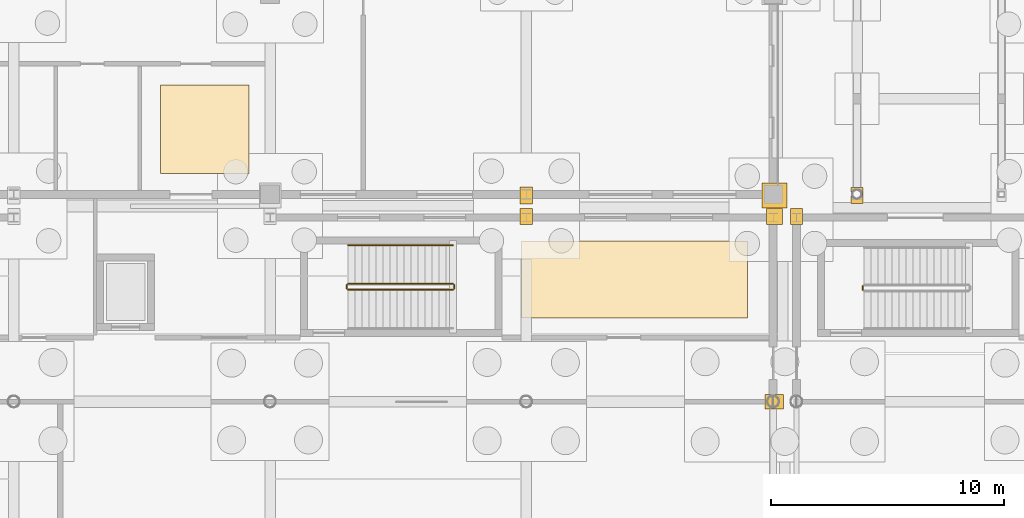
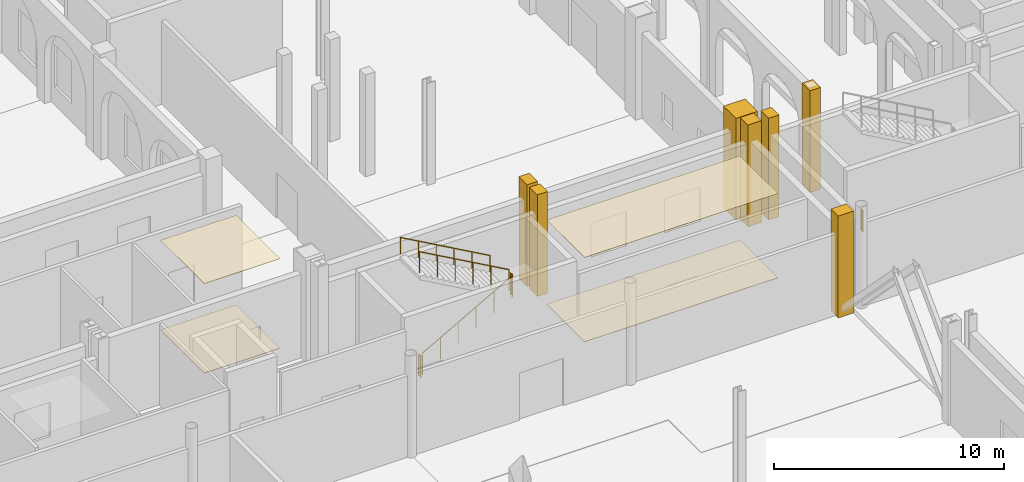
# One storey, part 73 of 83: 11 coverings, 6 railings.
"""IFC4 building model written with IfcOpenShell, lengths in metres."""

from ifc_helpers import new_model, si_unit, direction, frame, origin, origin_2d, place, context, subcontext, project, spatial, polyline, rectangle, circle, outline, extrude, material, layer, layer_set, type_object, element, save


model = new_model("IFC4")

# Units and contexts
model_context = context("Model", 3, precision=1e-05, world=origin(), true_north=direction((0.0, 1.0)))
body_context = subcontext(model_context, "Body", "Model", "MODEL_VIEW")
ifc_project = project(units=[si_unit("LENGTHUNIT", "METRE"), si_unit("AREAUNIT", "SQUARE_METRE"), si_unit("VOLUMEUNIT", "CUBIC_METRE"), si_unit("PLANEANGLEUNIT", "RADIAN"), si_unit("MASSUNIT", "GRAM", prefix="KILO")], contexts=[model_context])

# Site, building, storey
site_placement = place(None, origin())
site = spatial("IfcSite", under=ifc_project, at=site_placement, CompositionType="ELEMENT")
building_placement = place(site_placement, origin())
building = spatial("IfcBuilding", under=site, at=building_placement, Name="Caurita Quay Ferry Terminal", CompositionType="ELEMENT")
storey_placement = place(building_placement, origin())
storey = spatial("IfcBuildingStorey", under=building, at=storey_placement, Name="L00", CompositionType="ELEMENT", Elevation=0.0)

# Coverings
ifc_material_1 = material(Name="Acoustic mineral fibre tile", Category="finish")
ifc_layer_1 = layer(ifc_material_1, 0.02001953125, Name="Acoustic mineral-fibre suspended ceiling 20 mm")
ifc_layer_set_1 = layer_set([ifc_layer_1], Name="Acoustic mineral fibre tile")
covering_type_1 = type_object("IfcCoveringType", Name="COV-CEIL-020", PredefinedType="CEILING", material=ifc_layer_set_1)
covering_1_placement = place(storey_placement, frame((0.0, 0.0, 4.4697265625)))
element("IfcCovering", 1, at=covering_1_placement, inside=storey, type_object=covering_type_1, Name="Quay Porterage and Trolley Store Acoustic Ceiling", PredefinedType="CEILING", context=body_context, shape_type="SweptSolid", body=[
    extrude(outline(polyline([(76.800048828125, 66.300048828125), (86.5, 66.300048828125), (86.5, 69.60009765625), (76.800048828125, 69.60009765625), (76.800048828125, 66.300048828125)])), origin(), (0.0, 0.0, 1.0), 0.02001953125),
])
covering_2_placement = place(storey_placement, frame((0.0, 0.0, 4.753173828125)))
element("IfcCovering", 2, at=covering_2_placement, inside=storey, type_object=covering_type_1, Name="Operations Cleaners Store L00 Acoustic Ceiling", PredefinedType="CEILING", context=body_context, shape_type="SweptSolid", body=[
    extrude(outline(polyline([(61.300048828125, 72.5), (65.10009765625, 72.5), (65.10009765625, 76.300048828125), (61.300048828125, 76.300048828125), (61.300048828125, 72.5)])), origin(), (0.0, 0.0, 1.0), 0.02001953125),
])
ifc_material_2 = material(Name="Polished marine terrazzo tile", Category="finish")
ifc_layer_2 = layer(ifc_material_2, 0.02490234375, Name="Polished marine terrazzo floor finish 25 mm")
ifc_layer_set_2 = layer_set([ifc_layer_2], Name="Polished marine terrazzo tile")
covering_type_2 = type_object("IfcCoveringType", Name="COV-FLR-025", PredefinedType="FLOORING", material=ifc_layer_set_2)
covering_3_placement = place(storey_placement, origin())
element("IfcCovering", 3, at=covering_3_placement, inside=storey, type_object=covering_type_2, Name="Quay Porterage and Trolley Store Terrazzo Flooring", PredefinedType="FLOORING", context=body_context, shape_type="SweptSolid", body=[
    extrude(outline(polyline([(76.800048828125, 66.300048828125), (86.5, 66.300048828125), (86.5, 69.60009765625), (76.800048828125, 69.60009765625), (76.800048828125, 66.300048828125)])), origin(), (0.0, 0.0, 1.0), 0.02490234375),
])
covering_4_placement = place(storey_placement, origin())
element("IfcCovering", 4, at=covering_4_placement, inside=storey, type_object=covering_type_2, Name="Operations Cleaners Store L00 Terrazzo Flooring", PredefinedType="FLOORING", context=body_context, shape_type="SweptSolid", body=[
    extrude(outline(polyline([(61.300048828125, 72.5), (65.10009765625, 72.5), (65.10009765625, 76.300048828125), (61.300048828125, 76.300048828125), (61.300048828125, 72.5)])), origin(), (0.0, 0.0, 1.0), 0.02490234375),
])
ifc_material_3 = material(Name="Warm-white lime stucco masonry", Category="masonry")
ifc_layer_3 = layer(ifc_material_3, 0.179931640625, Name="Classical engaged lime-stucco facade pilaster cladding 180 mm")
ifc_layer_set_3 = layer_set([ifc_layer_3], Name="Warm-white lime stucco masonry")
covering_type_3 = type_object("IfcCoveringType", Name="COV-PIL-CLD", PredefinedType="CLADDING", material=ifc_layer_set_3)
covering_5_placement = place(storey_placement, frame((77.0, 70.64990234375, 0.0), z_axis=(0.0, 0.0, 1.0), x_axis=(1.0, 0.0, 0.0)))
element("IfcCovering", 5, at=covering_5_placement, inside=storey, type_object=covering_type_3, Name="L00 Classical Engaged Pilaster 0066", PredefinedType="CLADDING", context=body_context, shape_type="SweptSolid", body=[
    extrude(rectangle(XDim=0.518798828125, YDim=0.673583984375, at=origin_2d()), origin(), (0.0, 0.0, 1.0), 5.39990234375),
])
covering_6_placement = place(storey_placement, frame((87.64990234375, 62.699951171875, 0.0), z_axis=(0.0, 0.0, 1.0), x_axis=(1.0, 0.0, 0.0)))
element("IfcCovering", 6, at=covering_6_placement, inside=storey, type_object=covering_type_3, Name="L00 Classical Engaged Pilaster 0073", PredefinedType="CLADDING", context=body_context, shape_type="SweptSolid", body=[
    extrude(rectangle(XDim=0.7880859375, YDim=0.6279296875, at=origin_2d()), origin(), (0.0, 0.0, 1.0), 5.39990234375),
])
covering_7_placement = place(storey_placement, frame((87.64990234375, 70.64990234375, 0.0), z_axis=(0.0, 0.0, 1.0), x_axis=(1.0, 0.0, 0.0)))
element("IfcCovering", 7, at=covering_7_placement, inside=storey, type_object=covering_type_3, Name="L00 Classical Engaged Pilaster 0079", PredefinedType="CLADDING", context=body_context, shape_type="SweptSolid", body=[
    extrude(rectangle(XDim=0.6787109375, YDim=0.673583984375, at=origin_2d()), origin(), (0.0, 0.0, 1.0), 5.39990234375),
])
covering_8_placement = place(storey_placement, frame((88.60009765625, 70.64990234375, 0.0), z_axis=(0.0, 0.0, 1.0), x_axis=(1.0, 0.0, 0.0)))
element("IfcCovering", 8, at=covering_8_placement, inside=storey, type_object=covering_type_3, Name="L00 Classical Engaged Pilaster 0086", PredefinedType="CLADDING", context=body_context, shape_type="SweptSolid", body=[
    extrude(rectangle(XDim=0.518798828125, YDim=0.673583984375, at=origin_2d()), origin(), (0.0, 0.0, 1.0), 5.39990234375),
])
covering_9_placement = place(storey_placement, frame((77.0, 71.550048828125, 0.0), z_axis=(0.0, 0.0, 1.0), x_axis=(1.0, 0.0, 0.0)))
element("IfcCovering", 9, at=covering_9_placement, inside=storey, type_object=covering_type_3, Name="L00 Classical Engaged Pilaster 0384", PredefinedType="CLADDING", context=body_context, shape_type="SweptSolid", body=[
    extrude(rectangle(XDim=0.531005859375, YDim=0.714111328125, at=origin_2d()), origin(), (0.0, 0.0, 1.0), 5.39990234375),
])
covering_10_placement = place(storey_placement, frame((87.64990234375, 71.550048828125, 0.0), z_axis=(0.0, 0.0, 1.0), x_axis=(1.0, 0.0, 0.0)))
element("IfcCovering", 10, at=covering_10_placement, inside=storey, type_object=covering_type_3, Name="L00 Classical Engaged Pilaster 0394", PredefinedType="CLADDING", context=body_context, shape_type="SweptSolid", body=[
    extrude(rectangle(XDim=1.080078125, YDim=1.080078125, at=origin_2d()), origin(), (0.0, 0.0, 1.0), 5.39990234375),
])
covering_11_placement = place(storey_placement, frame((91.199951171875, 71.550048828125, 0.0), z_axis=(0.0, 0.0, 1.0), x_axis=(1.0, 0.0, 0.0)))
element("IfcCovering", 11, at=covering_11_placement, inside=storey, type_object=covering_type_3, Name="L00 Classical Engaged Pilaster 0406", PredefinedType="CLADDING", context=body_context, shape_type="SweptSolid", body=[
    extrude(rectangle(XDim=0.5263671875, YDim=0.686279296875, at=origin_2d()), origin(), (0.0, 0.0, 1.0), 5.39990234375),
])

# Railings
ifc_material_4 = material(Name="Bronze architectural metalwork", Category="metal")
railing_type_1 = type_object("IfcRailingType", Name="RL-HND-090", PredefinedType="HANDRAIL", material=ifc_material_4)
railing_1_placement = place(storey_placement, frame((73.85009765625, 69.409912109375, 2.86865234375)))
element("IfcRailing", 12, at=railing_1_placement, inside=storey, type_object=railing_type_1, Name="L00 ST-07 stair handrail 2", PredefinedType="HANDRAIL", context=body_context, shape_type="SweptSolid", body=[
    extrude(circle(Radius=0.02392578125, at=origin_2d()), frame((0.0, 0.0, 0.8759765625), z_axis=(-0.871575537125, 0.0, 0.490261239633), x_axis=(0.0, -1.0, 0.0)), (0.0, 0.0, 1.0), 5.1630859375),
    extrude(circle(Radius=0.02099609375, at=origin_2d()), origin(), (0.0, 0.0, 1.0), 0.851806640625),
    extrude(circle(Radius=0.02099609375, at=origin_2d()), frame((-0.89990234375, 0.0, 0.50634765625)), (0.0, 0.0, 1.0), 0.851806640625),
    extrude(circle(Radius=0.02099609375, at=origin_2d()), frame((-1.800048828125, 0.0, 1.012451171875)), (0.0, 0.0, 1.0), 0.851806640625),
    extrude(circle(Radius=0.02099609375, at=origin_2d()), frame((-2.699951171875, 0.0, 1.518798828125)), (0.0, 0.0, 1.0), 0.851806640625),
    extrude(circle(Radius=0.02099609375, at=origin_2d()), frame((-3.60009765625, 0.0, 2.02490234375)), (0.0, 0.0, 1.0), 0.851806640625),
    extrude(circle(Radius=0.02099609375, at=origin_2d()), frame((-4.5, 0.0, 2.53125)), (0.0, 0.0, 1.0), 0.851806640625),
])
railing_type_2 = type_object("IfcRailingType", Name="RL-REJA-115", PredefinedType="BALUSTRADE", material=ifc_material_4)
railing_2_placement = place(storey_placement, frame((69.35009765625, 67.5, 0.168701171875)))
element("IfcRailing", 13, at=railing_2_placement, inside=storey, type_object=railing_type_2, Name="L00 ST-07 stair guard 1", PredefinedType="BALUSTRADE", context=body_context, shape_type="SweptSolid", body=[
    extrude(circle(Radius=0.02392578125, at=origin_2d()), frame((0.0, 0.0, 1.1259765625), z_axis=(0.871575537125, 0.0, 0.490261239633), x_axis=(0.0, 1.0, 0.0)), (0.0, 0.0, 1.0), 5.1630859375),
    extrude(circle(Radius=0.02099609375, at=origin_2d()), origin(), (0.0, 0.0, 1.0), 1.101806640625),
    extrude(circle(Radius=0.02099609375, at=origin_2d()), frame((0.89990234375, 0.0, 0.50634765625)), (0.0, 0.0, 1.0), 1.101806640625),
    extrude(circle(Radius=0.02099609375, at=origin_2d()), frame((1.800048828125, 0.0, 1.012451171875)), (0.0, 0.0, 1.0), 1.101806640625),
    extrude(circle(Radius=0.02099609375, at=origin_2d()), frame((2.699951171875, 0.0, 1.518798828125)), (0.0, 0.0, 1.0), 1.101806640625),
    extrude(circle(Radius=0.02099609375, at=origin_2d()), frame((3.60009765625, 0.0, 2.02490234375)), (0.0, 0.0, 1.0), 1.101806640625),
    extrude(circle(Radius=0.02099609375, at=origin_2d()), frame((4.5, 0.0, 2.53125)), (0.0, 0.0, 1.0), 1.101806640625),
])
railing_3_placement = place(storey_placement, frame((73.89990234375, 67.550048828125, 2.699951171875)))
element("IfcRailing", 14, at=railing_3_placement, inside=storey, type_object=railing_type_2, Name="L00 ST-07 stair guard 2", PredefinedType="BALUSTRADE", context=body_context, shape_type="SweptSolid", body=[
    extrude(circle(Radius=0.02392578125, at=origin_2d()), frame((0.0, 0.0, 1.1259765625), z_axis=(0.0, 1.0, 0.0), x_axis=(-1.0, 0.0, 0.0)), (0.0, 0.0, 1.0), 0.159912109375),
    extrude(circle(Radius=0.02099609375, at=origin_2d()), origin(), (0.0, 0.0, 1.0), 1.101806640625),
    extrude(circle(Radius=0.02099609375, at=origin_2d()), frame((0.0, 0.159912109375, 0.0)), (0.0, 0.0, 1.0), 1.101806640625),
])
railing_4_placement = place(storey_placement, frame((73.85009765625, 67.760009765625, 2.86865234375)))
element("IfcRailing", 15, at=railing_4_placement, inside=storey, type_object=railing_type_2, Name="L00 ST-07 stair guard 3", PredefinedType="BALUSTRADE", context=body_context, shape_type="SweptSolid", body=[
    extrude(circle(Radius=0.02392578125, at=origin_2d()), frame((0.0, 0.0, 1.1259765625), z_axis=(-0.871575537125, 0.0, 0.490261239633), x_axis=(0.0, -1.0, 0.0)), (0.0, 0.0, 1.0), 5.1630859375),
    extrude(circle(Radius=0.02099609375, at=origin_2d()), origin(), (0.0, 0.0, 1.0), 1.101806640625),
    extrude(circle(Radius=0.02099609375, at=origin_2d()), frame((-0.89990234375, 0.0, 0.50634765625)), (0.0, 0.0, 1.0), 1.101806640625),
    extrude(circle(Radius=0.02099609375, at=origin_2d()), frame((-1.800048828125, 0.0, 1.012451171875)), (0.0, 0.0, 1.0), 1.101806640625),
    extrude(circle(Radius=0.02099609375, at=origin_2d()), frame((-2.699951171875, 0.0, 1.518798828125)), (0.0, 0.0, 1.0), 1.101806640625),
    extrude(circle(Radius=0.02099609375, at=origin_2d()), frame((-3.60009765625, 0.0, 2.02490234375)), (0.0, 0.0, 1.0), 1.101806640625),
    extrude(circle(Radius=0.02099609375, at=origin_2d()), frame((-4.5, 0.0, 2.53125)), (0.0, 0.0, 1.0), 1.101806640625),
])
for number, where, name in (
    (16, (69.300048828125, 67.550048828125, 0.0), "L00 ST-07 stair guard 4"),
    (17, (91.449951171875, 67.5, 0.0), "L00 ST-08 stair guard 4"),
):
    element("IfcRailing", number, at=place(storey_placement, frame(where)), inside=storey, type_object=railing_type_2, Name=name, PredefinedType="BALUSTRADE", context=body_context, shape_type="SweptSolid", body=[
        extrude(circle(Radius=0.02392578125, at=origin_2d()), frame((0.0, 0.0, 1.1259765625), z_axis=(0.0, 1.0, 0.0), x_axis=(-1.0, 0.0, 0.0)), (0.0, 0.0, 1.0), 0.159912109375),
        extrude(circle(Radius=0.02099609375, at=origin_2d()), origin(), (0.0, 0.0, 1.0), 1.101806640625),
        extrude(circle(Radius=0.02099609375, at=origin_2d()), frame((0.0, 0.159912109375, 0.0)), (0.0, 0.0, 1.0), 1.101806640625),
    ])

save(model, "model.ifc")
